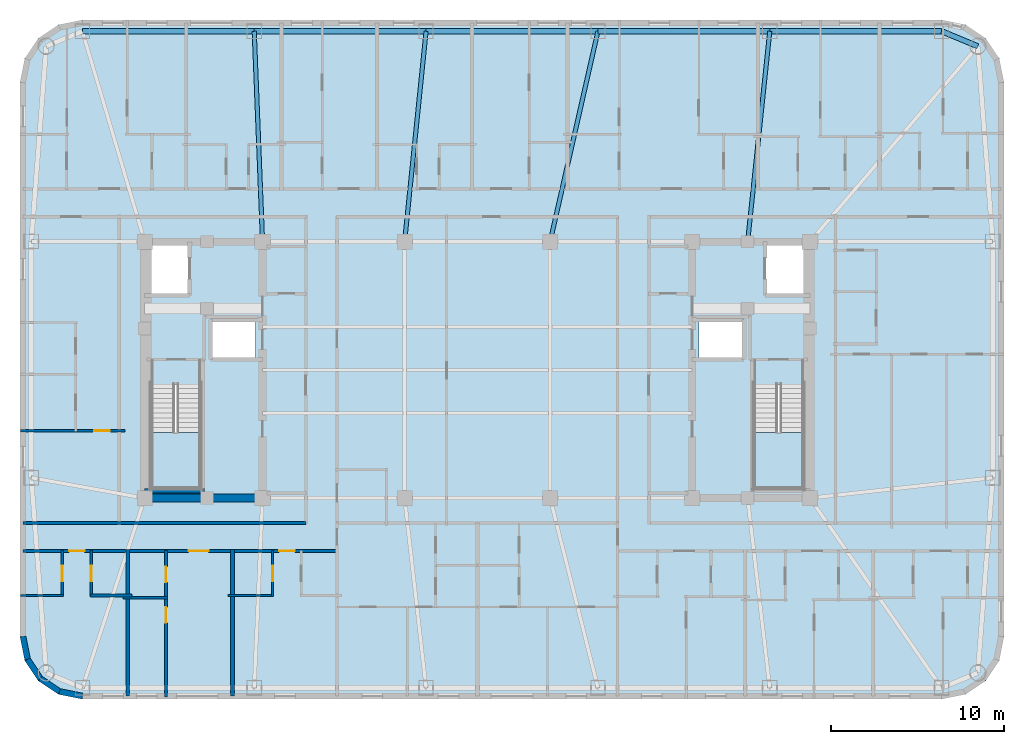
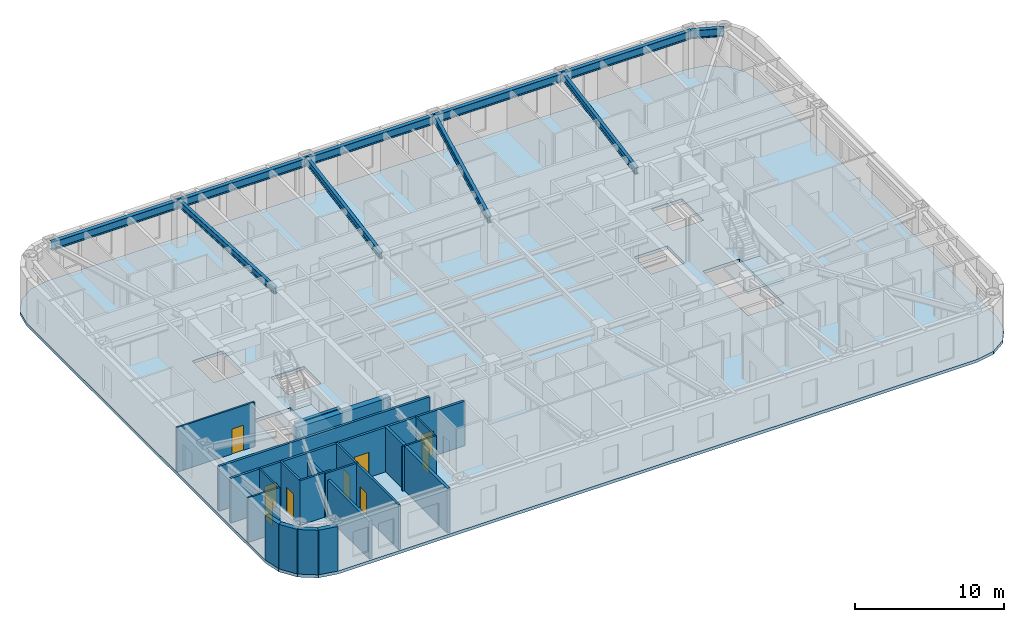
# One storey, part 2 of 11: 20 walls, 10 beams, 9 doors, 3 slabs, 9 openings, 2 elements without a shape of their own.
"""IFC4 building model written with IfcOpenShell, lengths in metres."""

from ifc_helpers import new_model, si_unit, direction, frame, frame_2d, origin, origin_2d, place, context, subcontext, project, spatial, polyline, rectangle, i_section, outline, extrude, material, layer, layer_set, material_profile, profile_set, type_object, element, fill, aggregate, save


model = new_model("IFC4")

# Units and contexts
model_context = context("Model", 3, precision=1e-05, world=origin(), true_north=direction((0.0, 1.0)))
body_context = subcontext(model_context, "Body", "Model", "MODEL_VIEW")
ifc_project = project(units=[si_unit("LENGTHUNIT", "METRE"), si_unit("AREAUNIT", "SQUARE_METRE"), si_unit("VOLUMEUNIT", "CUBIC_METRE"), si_unit("PLANEANGLEUNIT", "RADIAN"), si_unit("MASSUNIT", "GRAM", prefix="KILO")], contexts=[model_context])

# Site, building, storey
site_placement = place(None, origin())
site = spatial("IfcSite", under=ifc_project, at=site_placement, CompositionType="ELEMENT")
building_placement = place(site_placement, origin())
building = spatial("IfcBuilding", under=site, at=building_placement, Name="Voryun Gate Residences", CompositionType="ELEMENT")
storey_placement = place(building_placement, frame((0.0, 0.0, 239.199951171875)))
storey = spatial("IfcBuildingStorey", under=building, at=storey_placement, Name="L59", CompositionType="ELEMENT", Elevation=239.199951171875)

# Beams
ifc_material_1 = material(Name="Steel SM355", Category="steel")
ifc_material_profile_1 = material_profile(ifc_material_1, i_section(OverallWidth=0.300048828125, OverallDepth=0.679931640625, WebThickness=0.013916015625, FlangeThickness=0.02490234375, FilletRadius=0.01806640625, at=origin_2d()), Name="H-680x300x14x25")
ifc_profile_set_1 = profile_set([ifc_material_profile_1], Name="Steel SM355")
beam_type_1 = type_object("IfcBeamType", Name="BM_EXO_SPANDREL_M", PredefinedType="SPANDREL", material=ifc_profile_set_1)
beam_1_placement = place(storey_placement, frame((28.885986328125, 18.68603515625, 3.31005859375), z_axis=(-0.923881087602, 0.382679678022, 0.0), x_axis=(-0.382679678022, -0.923881087602, 0.0)))
element("IfcBeam", 1, at=beam_1_placement, inside=storey, type_object=beam_type_1, Name="BM-L59-SPAND-10", PredefinedType="SPANDREL", context=body_context, shape_type="SweptSolid", body=[
    extrude(i_section(OverallWidth=0.300048828125, OverallDepth=0.679931640625, WebThickness=0.013916015625, FlangeThickness=0.02490234375, FilletRadius=0.01806640625, at=origin_2d()), origin(), (0.0, 0.0, 1.0), 2.2578125),
])
beam_2_placement = place(storey_placement, frame((26.800048828125, 19.550048828125, 3.31005859375), z_axis=(-1.0, 0.0, 0.0), x_axis=(0.0, -1.0, 0.0)))
element("IfcBeam", 2, at=beam_2_placement, inside=storey, type_object=beam_type_1, Name="BM-L59-SPAND-11", PredefinedType="SPANDREL", context=body_context, shape_type="SweptSolid", body=[
    extrude(i_section(OverallWidth=0.300048828125, OverallDepth=0.679931640625, WebThickness=0.013916015625, FlangeThickness=0.02490234375, FilletRadius=0.01806640625, at=origin_2d()), origin(), (0.0, 0.0, 1.0), 9.920166015625),
])
for number, where, z_axis, x_axis, name in (
    (3, (16.8798828125, 19.550048828125, 3.31005859375), (-1.0, 0.0, 0.0), (0.0, -1.0, 0.0), "BM-L59-SPAND-12"),
    (4, (6.9599609375, 19.550048828125, 3.31005859375), (-1.0, 0.0, 0.0), (0.0, -1.0, 0.0), "BM-L59-SPAND-13"),
    (5, (-2.9599609375, 19.550048828125, 3.31005859375), (-1.0, 0.0, 0.0), (0.0, -1.0, 0.0), "BM-L59-SPAND-14"),
):
    element("IfcBeam", number, at=place(storey_placement, frame(where, z_axis=z_axis, x_axis=x_axis)), inside=storey, type_object=beam_type_1, Name=name, PredefinedType="SPANDREL", context=body_context, shape_type="SweptSolid", body=[
        extrude(i_section(OverallWidth=0.300048828125, OverallDepth=0.679931640625, WebThickness=0.013916015625, FlangeThickness=0.02490234375, FilletRadius=0.01806640625, at=origin_2d()), origin(), (0.0, 0.0, 1.0), 9.919921875),
    ])
beam_3_placement = place(storey_placement, frame((-12.8798828125, 19.550048828125, 3.31005859375), z_axis=(-1.0, 0.0, 0.0), x_axis=(0.0, -1.0, 0.0)))
element("IfcBeam", 6, at=beam_3_placement, inside=storey, type_object=beam_type_1, Name="BM-L59-SPAND-15", PredefinedType="SPANDREL", context=body_context, shape_type="SweptSolid", body=[
    extrude(i_section(OverallWidth=0.300048828125, OverallDepth=0.679931640625, WebThickness=0.013916015625, FlangeThickness=0.02490234375, FilletRadius=0.01806640625, at=origin_2d()), origin(), (0.0, 0.0, 1.0), 9.920166015625),
])
ifc_material_2 = material(Name="Steel SM355", Category="steel")
ifc_material_profile_2 = material_profile(ifc_material_2, i_section(OverallWidth=0.239990234375, OverallDepth=0.550048828125, WebThickness=0.011962890625, FlangeThickness=0.02001953125, FilletRadius=0.01806640625, at=origin_2d()), Name="H-550x240x12x20")
ifc_profile_set_2 = profile_set([ifc_material_profile_2], Name="Steel SM355")
beam_type_2 = type_object("IfcBeamType", Name="BM_GIRD_550", PredefinedType="USERDEFINED", material=ifc_profile_set_2)
beam_4_placement = place(storey_placement, frame((15.60009765625, 7.39990234375, 3.375), z_axis=(0.104751358085, 0.994498442925, 0.0), x_axis=(-0.994498442925, 0.104751358085, 0.0)))
element("IfcBeam", 7, at=beam_4_placement, inside=storey, type_object=beam_type_2, Name="BM-L59-RAD-N2", ObjectType="GIRDER", PredefinedType="USERDEFINED", context=body_context, shape_type="SweptSolid", body=[
    extrude(i_section(OverallWidth=0.239990234375, OverallDepth=0.550048828125, WebThickness=0.011962890625, FlangeThickness=0.02001953125, FilletRadius=0.01806640625, at=origin_2d()), origin(), (0.0, 0.0, 1.0), 12.21728515625),
])
beam_5_placement = place(storey_placement, frame((4.199951171875, 7.39990234375, 3.375), z_axis=(0.221515238368, 0.975156910026, 0.0), x_axis=(-0.975156910026, 0.221515238368, 0.0)))
element("IfcBeam", 8, at=beam_5_placement, inside=storey, type_object=beam_type_2, Name="BM-L59-RAD-N3", ObjectType="GIRDER", PredefinedType="USERDEFINED", context=body_context, shape_type="SweptSolid", body=[
    extrude(i_section(OverallWidth=0.239990234375, OverallDepth=0.550048828125, WebThickness=0.011962890625, FlangeThickness=0.02001953125, FilletRadius=0.01806640625, at=origin_2d()), origin(), (0.0, 0.0, 1.0), 12.459716796875),
])
beam_6_placement = place(storey_placement, frame((-4.199951171875, 7.39990234375, 3.375), z_axis=(0.101528223047, 0.994832659257, 0.0), x_axis=(-0.994832659257, 0.101528223047, 0.0)))
element("IfcBeam", 9, at=beam_6_placement, inside=storey, type_object=beam_type_2, Name="BM-L59-RAD-N4", ObjectType="GIRDER", PredefinedType="USERDEFINED", context=body_context, shape_type="SweptSolid", body=[
    extrude(i_section(OverallWidth=0.239990234375, OverallDepth=0.550048828125, WebThickness=0.011962890625, FlangeThickness=0.02001953125, FilletRadius=0.01806640625, at=origin_2d()), origin(), (0.0, 0.0, 1.0), 12.213134765625),
])
beam_7_placement = place(storey_placement, frame((-12.39990234375, 7.39990234375, 3.375), z_axis=(-0.039473300578, 0.999220625558, 0.0), x_axis=(-0.999220625558, -0.039473300578, 0.0)))
element("IfcBeam", 10, at=beam_7_placement, inside=storey, type_object=beam_type_2, Name="BM-L59-RAD-N5", ObjectType="GIRDER", PredefinedType="USERDEFINED", context=body_context, shape_type="SweptSolid", body=[
    extrude(i_section(OverallWidth=0.239990234375, OverallDepth=0.550048828125, WebThickness=0.011962890625, FlangeThickness=0.02001953125, FilletRadius=0.01806640625, at=origin_2d()), origin(), (0.0, 0.0, 1.0), 12.15966796875),
])

# Slab
ifc_material_3 = material(Name="Concrete C40/50", Category="concrete")
ifc_layer_1 = layer(ifc_material_3, 0.25, Name="SLB_RES_250")
ifc_layer_set_1 = layer_set([ifc_layer_1], Name="Concrete C40/50")
slab_type_1 = type_object("IfcSlabType", Name="SLB_RES_250", PredefinedType="FLOOR", material=ifc_layer_set_1)
slab_1_placement = place(storey_placement, frame((0.0, 0.0, -0.25)))
element("IfcSlab", 11, at=slab_1_placement, inside=storey, type_object=slab_type_1, Name="L59 Structural Floor Slab", PredefinedType="FLOOR", context=body_context, shape_type="SweptSolid", body=[
    extrude(outline(polyline([(-22.800048828125, -19.0), (-24.177734375, -18.72607421875), (-25.345458984375, -17.945556640625), (-26.1259765625, -16.777587890625), (-26.39990234375, -15.39990234375), (-26.39990234375, 16.60009765625), (-26.1259765625, 17.9775390625), (-25.345458984375, 19.1455078125), (-24.177734375, 19.926025390625), (-22.800048828125, 20.199951171875), (26.800048828125, 20.199951171875), (28.177734375, 19.926025390625), (29.345458984375, 19.1455078125), (30.1259765625, 17.9775390625), (30.39990234375, 16.60009765625), (30.39990234375, -15.39990234375), (30.1259765625, -16.777587890625), (29.345458984375, -17.945556640625), (28.177734375, -18.72607421875), (26.800048828125, -19.0), (-22.800048828125, -19.0)]), holes=[polyline([(-15.97509765625, -0.840087890625), (-18.824951171875, -0.840087890625), (-18.824951171875, -6.85009765625), (-15.97509765625, -6.85009765625), (-15.97509765625, -0.840087890625)]), polyline([(18.824951171875, -6.85009765625), (18.824951171875, -0.840087890625), (15.97509765625, -0.840087890625), (15.97509765625, -6.85009765625), (18.824951171875, -6.85009765625)]), polyline([(-12.800048828125, 2.89990234375), (-15.39990234375, 2.89990234375), (-15.39990234375, 0.60009765625), (-12.800048828125, 0.60009765625), (-12.800048828125, 2.89990234375)]), polyline([(12.800048828125, 2.89990234375), (12.800048828125, 0.60009765625), (15.39990234375, 0.60009765625), (15.39990234375, 2.89990234375), (12.800048828125, 2.89990234375)]), polyline([(-16.60009765625, 7.199951171875), (-19.0, 7.199951171875), (-19.0, 4.300048828125), (-16.60009765625, 4.300048828125), (-16.60009765625, 7.199951171875)]), polyline([(19.0, 7.199951171875), (16.60009765625, 7.199951171875), (16.60009765625, 4.300048828125), (19.0, 4.300048828125), (19.0, 7.199951171875)])]), origin(), (0.0, 0.0, 1.0), 0.25),
])

# Stair, slab
ifc_material_4 = material(Name="Concrete C40/50", Category="concrete")
stair_type = type_object("IfcStairType", Name="STR_CORE_DOGLEG_1350", PredefinedType="HALF_TURN_STAIR", material=ifc_material_4)
stair_1_placement = place(storey_placement, origin())
stair_1 = element("IfcStair", 12, at=stair_1_placement, inside=storey, type_object=stair_type, Name="L59 Special Escape Stair ST-W1", PredefinedType="HALF_TURN_STAIR")
ifc_material_5 = material(Name="Concrete C40/50", Category="concrete")
ifc_layer_2 = layer(ifc_material_5, 0.199951171875, Name="SLB_STAIR_LANDING_200")
ifc_layer_set_2 = layer_set([ifc_layer_2], Name="Concrete C40/50")
slab_type_2 = type_object("IfcSlabType", Name="SLB_STAIR_LANDING_200", PredefinedType="LANDING", material=ifc_layer_set_2)
slab_2_placement = place(storey_placement, frame((0.0, 0.0, 1.75)))
slab_2 = element("IfcSlab", 13, at=slab_2_placement, type_object=slab_type_2, Name="ST-W1 landing 1", PredefinedType="LANDING", context=body_context, shape_type="SweptSolid", body=[
    extrude(outline(polyline([(-18.824951171875, -3.60009765625), (-18.824951171875, -6.85009765625), (-15.97509765625, -6.85009765625), (-15.97509765625, -3.60009765625), (-18.824951171875, -3.60009765625)])), origin(), (0.0, 0.0, 1.0), 0.199951171875),
])
aggregate(stair_1, [slab_2])

stair_2_placement = place(storey_placement, origin())
stair_2 = element("IfcStair", 14, at=stair_2_placement, inside=storey, type_object=stair_type, Name="L59 Special Escape Stair ST-E1", PredefinedType="HALF_TURN_STAIR")
slab_3_placement = place(storey_placement, frame((0.0, 0.0, 1.75)))
slab_3 = element("IfcSlab", 15, at=slab_3_placement, type_object=slab_type_2, Name="ST-E1 landing 1", PredefinedType="LANDING", context=body_context, shape_type="SweptSolid", body=[
    extrude(outline(polyline([(15.97509765625, -3.60009765625), (15.97509765625, -6.85009765625), (18.824951171875, -6.85009765625), (18.824951171875, -3.60009765625), (15.97509765625, -3.60009765625)])), origin(), (0.0, 0.0, 1.0), 0.199951171875),
])
aggregate(stair_2, [slab_3])

# Walls
ifc_material_6 = material(Name="Concrete C50/60", Category="concrete")
ifc_layer_3 = layer(ifc_material_6, 0.449951171875, Name="CW_CORE_450")
ifc_layer_set_3 = layer_set([ifc_layer_3], Name="Concrete C50/60")
wall_type_1 = type_object("IfcWallType", Name="CW_CORE_450", PredefinedType="SHEAR", material=ifc_layer_set_3)
wall_1_placement = place(storey_placement, frame((-19.425048828125, -7.39990234375, 0.0), z_axis=(0.0, 0.0, 1.0), x_axis=(1.0, 0.0, 0.0)))
element("IfcWall", 16, at=wall_1_placement, inside=storey, type_object=wall_type_1, Name="L59 Core shear wall CW-L59-WS", PredefinedType="SHEAR", context=body_context, shape_type="SweptSolid", body=[
    extrude(rectangle(XDim=7.25, YDim=0.449951171875, at=frame_2d((3.625, 0.0))), origin(), (0.0, 0.0, 1.0), 3.650146484375),
])
ifc_material_7 = material(Name="Gypsum acoustic fireboard")
ifc_layer_4 = layer(ifc_material_7, 0.179931640625, Name="W_CORR_RATED_180")
ifc_layer_set_4 = layer_set([ifc_layer_4], Name="Gypsum acoustic fireboard")
wall_type_2 = type_object("IfcWallType", Name="W_CORR_RATED_180", PredefinedType="PARTITIONING", material=ifc_layer_set_4)
wall_2_placement = place(storey_placement, frame((-26.22998046875, -8.840087890625, 0.0), z_axis=(0.0, 0.0, 1.0), x_axis=(1.0, 0.0, 0.0)))
element("IfcWall", 17, at=wall_2_placement, inside=storey, type_object=wall_type_2, Name="Partition wall WP-L59-CWING-WS", PredefinedType="PARTITIONING", context=body_context, shape_type="SweptSolid", body=[
    extrude(rectangle(XDim=16.35009765625, YDim=0.179931640625, at=frame_2d((8.175048828125, 0.0))), origin(), (0.0, 0.0, 1.0), 3.650146484375),
])

# Wall, openings, doors
wall_3_placement = place(storey_placement, frame((-26.22998046875, -10.449951171875, 0.0), z_axis=(0.0, 0.0, 1.0), x_axis=(1.0, 0.0, 0.0)))
wall_3 = element("IfcWall", 18, at=wall_3_placement, inside=storey, type_object=wall_type_2, Name="Partition wall WP-L59-SCORR-W", PredefinedType="PARTITIONING", context=body_context, shape_type="SweptSolid", body=[
    extrude(rectangle(XDim=18.14990234375, YDim=0.179931640625, at=frame_2d((9.074951171875, 0.0))), origin(), (0.0, 0.0, 1.0), 3.650146484375),
])
opening_1_placement = place(wall_3_placement, frame((2.6591796875, 0.0, 0.0)))
opening_1 = element("IfcOpeningElement", 19, at=opening_1_placement, cuts=wall_3, Name="Opening D-INT-2", PredefinedType="OPENING", context=body_context, shape_type="SweptSolid", body=[
    extrude(rectangle(XDim=0.89990234375, YDim=2.050048828125, at=frame_2d((0.449951171875, 1.02490234375))), frame((0.0, 0.099853515625, 0.0), z_axis=(0.0, -1.0, 0.0), x_axis=(1.0, 0.0, 0.0)), (0.0, 0.0, 1.0), 0.199951171875),
])
opening_2_placement = place(wall_3_placement, frame((9.57080078125, 0.0, 0.0)))
opening_2 = element("IfcOpeningElement", 20, at=opening_2_placement, cuts=wall_3, Name="Opening D-UNIT-1", PredefinedType="OPENING", context=body_context, shape_type="SweptSolid", body=[
    extrude(rectangle(XDim=1.14990234375, YDim=2.050048828125, at=frame_2d((0.574951171875, 1.02490234375))), frame((0.0, 0.099853515625, 0.0), z_axis=(0.0, -1.0, 0.0), x_axis=(1.0, 0.0, 0.0)), (0.0, 0.0, 1.0), 0.199951171875),
])
opening_3_placement = place(wall_3_placement, frame((14.79248046875, 0.0, 0.0)))
opening_3 = element("IfcOpeningElement", 21, at=opening_3_placement, cuts=wall_3, Name="Opening D-INT-2", PredefinedType="OPENING", context=body_context, shape_type="SweptSolid", body=[
    extrude(rectangle(XDim=0.89990234375, YDim=2.050048828125, at=frame_2d((0.449951171875, 1.02490234375))), frame((0.0, 0.099853515625, 0.0), z_axis=(0.0, -1.0, 0.0), x_axis=(1.0, 0.0, 0.0)), (0.0, 0.0, 1.0), 0.199951171875),
])
ifc_material_8 = material(Name="Architectural oak veneer")
door_type_1 = type_object("IfcDoorType", Name="DR_INT_BATH_900", OperationType="NOTDEFINED", PredefinedType="DOOR", material=ifc_material_8)
door_1_placement = place(opening_1_placement, origin())
door_1 = element("IfcDoor", 22, at=door_1_placement, inside=storey, type_object=door_type_1, Name="Door DR-L59-SENT-1", OperationType="SINGLE_SWING_RIGHT", OverallHeight=2.050048828125, OverallWidth=0.89990234375, PredefinedType="DOOR", context=body_context, shape_type="SweptSolid", body=[
    extrude(rectangle(XDim=0.89990234375, YDim=2.050048828125, at=frame_2d((0.449951171875, 1.02490234375))), frame((0.0, 0.02490234375, 0.0), z_axis=(0.0, -1.0, 0.0), x_axis=(1.0, 0.0, 0.0)), (0.0, 0.0, 1.0), 0.050048828125),
])
fill(opening_1, door_1)
door_2_placement = place(opening_3_placement, origin())
door_2 = element("IfcDoor", 23, at=door_2_placement, inside=storey, type_object=door_type_1, Name="Door DR-L59-SENT-3", OperationType="SINGLE_SWING_RIGHT", OverallHeight=2.050048828125, OverallWidth=0.89990234375, PredefinedType="DOOR", context=body_context, shape_type="SweptSolid", body=[
    extrude(rectangle(XDim=0.89990234375, YDim=2.050048828125, at=frame_2d((0.449951171875, 1.02490234375))), frame((0.0, 0.02490234375, 0.0), z_axis=(0.0, -1.0, 0.0), x_axis=(1.0, 0.0, 0.0)), (0.0, 0.0, 1.0), 0.050048828125),
])
fill(opening_3, door_2)
ifc_material_9 = material(Name="Armoured timber-clad fire door", Category="wood")
door_type_2 = type_object("IfcDoorType", Name="DR_UNIT_ENTRY_1150", OperationType="NOTDEFINED", PredefinedType="DOOR", material=ifc_material_9)
door_3_placement = place(opening_2_placement, origin())
door_3 = element("IfcDoor", 24, at=door_3_placement, inside=storey, type_object=door_type_2, Name="Door DR-L59-SENT-2", OperationType="SINGLE_SWING_LEFT", OverallHeight=2.050048828125, OverallWidth=1.14990234375, PredefinedType="DOOR", context=body_context, shape_type="SweptSolid", body=[
    extrude(rectangle(XDim=1.14990234375, YDim=2.050048828125, at=frame_2d((0.574951171875, 1.02490234375))), frame((0.0, 0.02490234375, 0.0), z_axis=(0.0, -1.0, 0.0), x_axis=(1.0, 0.0, 0.0)), (0.0, 0.0, 1.0), 0.050048828125),
])
fill(opening_2, door_3)

# Walls
ifc_material_10 = material(Name="Charcoal terracotta masonry", Category="masonry")
ifc_layer_5 = layer(ifc_material_10, 0.340087890625, Name="W_EXT_TERRACOTTA_340")
ifc_layer_set_5 = layer_set([ifc_layer_5], Name="Charcoal terracotta masonry")
wall_type_3 = type_object("IfcWallType", Name="W_EXT_TERRACOTTA_340", PredefinedType="ELEMENTEDWALL", material=ifc_layer_set_5)
wall_4_placement = place(storey_placement, frame((-22.783203125, -18.830078125, 0.0), z_axis=(0.0, 0.0, 1.0), x_axis=(-0.980788153188, 0.195075878998, 0.0)))
element("IfcWall", 25, at=wall_4_placement, inside=storey, type_object=wall_type_3, Name="Exterior wall WEXT-L59-02", PredefinedType="ELEMENTEDWALL", context=body_context, shape_type="SweptSolid", body=[
    extrude(rectangle(XDim=1.354248046875, YDim=0.340087890625, at=frame_2d((0.67724609375, 0.0))), origin(), (0.0, 0.0, 1.0), 3.650146484375),
])
wall_5_placement = place(storey_placement, frame((-24.111328125, -18.56591796875, 0.0), z_axis=(0.0, 0.0, 1.0), x_axis=(-0.831403586725, 0.555669034571, 0.0)))
element("IfcWall", 26, at=wall_5_placement, inside=storey, type_object=wall_type_3, Name="Exterior wall WEXT-L59-03", PredefinedType="ELEMENTEDWALL", context=body_context, shape_type="SweptSolid", body=[
    extrude(rectangle(XDim=1.3369140625, YDim=0.340087890625, at=frame_2d((0.66845703125, 0.0))), origin(), (0.0, 0.0, 1.0), 3.650146484375),
])
wall_6_placement = place(storey_placement, frame((-25.222900390625, -17.822998046875, 0.0), z_axis=(0.0, 0.0, 1.0), x_axis=(-0.555584683399, 0.831459956686, 0.0)))
element("IfcWall", 27, at=wall_6_placement, inside=storey, type_object=wall_type_3, Name="Exterior wall WEXT-L59-04", PredefinedType="ELEMENTEDWALL", context=body_context, shape_type="SweptSolid", body=[
    extrude(rectangle(XDim=1.337158203125, YDim=0.340087890625, at=frame_2d((0.66845703125, 0.0))), origin(), (0.0, 0.0, 1.0), 3.650146484375),
])
wall_7_placement = place(storey_placement, frame((-25.9658203125, -16.711181640625, 0.0), z_axis=(0.0, 0.0, 1.0), x_axis=(-0.195110379894, 0.98078129043, 0.0)))
element("IfcWall", 28, at=wall_7_placement, inside=storey, type_object=wall_type_3, Name="Exterior wall WEXT-L59-05", PredefinedType="ELEMENTEDWALL", context=body_context, shape_type="SweptSolid", body=[
    extrude(rectangle(XDim=1.35400390625, YDim=0.340087890625, at=frame_2d((0.677001953125, 0.0))), origin(), (0.0, 0.0, 1.0), 3.650146484375),
])
ifc_material_11 = material(Name="Concrete C40/50", Category="concrete")
ifc_layer_6 = layer(ifc_material_11, 0.219970703125, Name="W_PARTY_ACOUSTIC_220")
ifc_layer_set_6 = layer_set([ifc_layer_6], Name="Concrete C40/50")
wall_type_4 = type_object("IfcWallType", Name="W_PARTY_ACOUSTIC_220", PredefinedType="PARTITIONING", material=ifc_layer_set_6)
wall_8_placement = place(storey_placement, frame((-20.18505859375, -18.830078125, 0.0), z_axis=(0.0, 0.0, 1.0), x_axis=(0.0, 1.0, 0.0)))
element("IfcWall", 29, at=wall_8_placement, inside=storey, type_object=wall_type_4, Name="Partition wall WP-L59-SPTY-1", PredefinedType="PARTITIONING", context=body_context, shape_type="SweptSolid", body=[
    extrude(rectangle(XDim=8.4599609375, YDim=0.219970703125, at=frame_2d((4.22998046875, 0.0))), origin(), (0.0, 0.0, 1.0), 3.090087890625),
])
wall_9_placement = place(storey_placement, frame((-14.132080078125, -18.830078125, 0.0), z_axis=(0.0, 0.0, 1.0), x_axis=(0.0, 1.0, 0.0)))
element("IfcWall", 30, at=wall_9_placement, inside=storey, type_object=wall_type_4, Name="Partition wall WP-L59-SPTY-2", PredefinedType="PARTITIONING", context=body_context, shape_type="SweptSolid", body=[
    extrude(rectangle(XDim=8.4599609375, YDim=0.219970703125, at=frame_2d((4.22998046875, 0.0))), origin(), (0.0, 0.0, 1.0), 3.650146484375),
])
ifc_material_12 = material(Name="Concrete C50/60", Category="concrete")
ifc_layer_7 = layer(ifc_material_12, 0.25, Name="W_SHAFT_RC250")
ifc_layer_set_7 = layer_set([ifc_layer_7], Name="Concrete C50/60")
wall_type_5 = type_object("IfcWallType", Name="W_SHAFT_RC250", PredefinedType="SOLIDWALL", material=ifc_layer_set_7)
wall_10_placement = place(storey_placement, frame((-19.199951171875, -6.965087890625, 0.0), z_axis=(0.0, 0.0, 1.0), x_axis=(1.0, 0.0, 0.0)))
element("IfcWall", 31, at=wall_10_placement, inside=storey, type_object=wall_type_5, Name="L59 Stair shaft structural wall W-STS", PredefinedType="SOLIDWALL", context=body_context, shape_type="SweptSolid", body=[
    extrude(rectangle(XDim=3.4599609375, YDim=0.25, at=frame_2d((1.72998046875, 0.0))), origin(), (0.0, 0.0, 1.0), 3.650146484375),
])

# Wall, opening, door
ifc_material_13 = material(Name="Gypsum acoustic partition")
ifc_layer_8 = layer(ifc_material_13, 0.125, Name="W_UNIT_PART_125")
ifc_layer_set_8 = layer_set([ifc_layer_8], Name="Gypsum acoustic partition")
wall_type_6 = type_object("IfcWallType", Name="W_UNIT_PART_125", PredefinedType="PARTITIONING", material=ifc_layer_set_8)
wall_11_placement = place(storey_placement, frame((-23.9599609375, -13.080078125, 0.0), z_axis=(0.0, 0.0, 1.0), x_axis=(0.0, 1.0, 0.0)))
wall_11 = element("IfcWall", 32, at=wall_11_placement, inside=storey, type_object=wall_type_6, Name="Partition wall WP-L59-S1-CVK", PredefinedType="PARTITIONING", context=body_context, shape_type="SweptSolid", body=[
    extrude(rectangle(XDim=2.650146484375, YDim=0.125, at=frame_2d((1.3251953125, 0.0))), origin(), (0.0, 0.0, 1.0), 3.650146484375),
])
opening_4_placement = place(wall_11_placement, frame((0.875, 0.0, 0.0)))
opening_4 = element("IfcOpeningElement", 33, at=opening_4_placement, cuts=wall_11, Name="Opening D-INT-2", PredefinedType="OPENING", context=body_context, shape_type="SweptSolid", body=[
    extrude(rectangle(XDim=0.89990234375, YDim=2.050048828125, at=frame_2d((0.449951171875, 1.02490234375))), frame((0.0, 0.072509765625, 0.0), z_axis=(0.0, -1.0, 0.0), x_axis=(1.0, 0.0, 0.0)), (0.0, 0.0, 1.0), 0.14501953125),
])
door_4_placement = place(opening_4_placement, origin())
door_4 = element("IfcDoor", 34, at=door_4_placement, inside=storey, type_object=door_type_1, Name="Door DR-L59-S1-DK", OperationType="SINGLE_SWING_LEFT", OverallHeight=2.050048828125, OverallWidth=0.89990234375, PredefinedType="DOOR", context=body_context, shape_type="SweptSolid", body=[
    extrude(rectangle(XDim=0.89990234375, YDim=2.050048828125, at=frame_2d((0.449951171875, 1.02490234375))), frame((0.0, 0.02490234375, 0.0), z_axis=(0.0, -1.0, 0.0), x_axis=(1.0, 0.0, 0.0)), (0.0, 0.0, 1.0), 0.050048828125),
])
fill(opening_4, door_4)

# Wall
wall_12_placement = place(storey_placement, frame((-26.3798828125, -13.02001953125, 0.0), z_axis=(0.0, 0.0, 1.0), x_axis=(1.0, 0.0, 0.0)))
element("IfcWall", 35, at=wall_12_placement, inside=storey, type_object=wall_type_6, Name="Partition wall WP-L59-S1-CHK", PredefinedType="PARTITIONING", context=body_context, shape_type="SweptSolid", body=[
    extrude(rectangle(XDim=2.47998046875, YDim=0.125, at=frame_2d((1.239990234375, 0.0))), origin(), (0.0, 0.0, 1.0), 3.650146484375),
])

# Wall, opening, door
wall_13_placement = place(storey_placement, frame((-11.818115234375, -13.080078125, 0.0), z_axis=(0.0, 0.0, 1.0), x_axis=(0.0, 1.0, 0.0)))
wall_13 = element("IfcWall", 36, at=wall_13_placement, inside=storey, type_object=wall_type_6, Name="Partition wall WP-L59-S3-CVK", PredefinedType="PARTITIONING", context=body_context, shape_type="SweptSolid", body=[
    extrude(rectangle(XDim=2.650146484375, YDim=0.125, at=frame_2d((1.3251953125, 0.0))), origin(), (0.0, 0.0, 1.0), 3.650146484375),
])
opening_5_placement = place(wall_13_placement, frame((0.875, 0.0, 0.0)))
opening_5 = element("IfcOpeningElement", 37, at=opening_5_placement, cuts=wall_13, Name="Opening D-INT-2", PredefinedType="OPENING", context=body_context, shape_type="SweptSolid", body=[
    extrude(rectangle(XDim=0.89990234375, YDim=2.050048828125, at=frame_2d((0.449951171875, 1.02490234375))), frame((0.0, 0.072509765625, 0.0), z_axis=(0.0, -1.0, 0.0), x_axis=(1.0, 0.0, 0.0)), (0.0, 0.0, 1.0), 0.14501953125),
])
door_5_placement = place(opening_5_placement, origin())
door_5 = element("IfcDoor", 38, at=door_5_placement, inside=storey, type_object=door_type_1, Name="Door DR-L59-S3-DK", OperationType="SINGLE_SWING_LEFT", OverallHeight=2.050048828125, OverallWidth=0.89990234375, PredefinedType="DOOR", context=body_context, shape_type="SweptSolid", body=[
    extrude(rectangle(XDim=0.89990234375, YDim=2.050048828125, at=frame_2d((0.449951171875, 1.02490234375))), frame((0.0, 0.02490234375, 0.0), z_axis=(0.0, -1.0, 0.0), x_axis=(1.0, 0.0, 0.0)), (0.0, 0.0, 1.0), 0.050048828125),
])
fill(opening_5, door_5)

# Wall
wall_14_placement = place(storey_placement, frame((-14.39208984375, -13.02001953125, 0.0), z_axis=(0.0, 0.0, 1.0), x_axis=(1.0, 0.0, 0.0)))
element("IfcWall", 39, at=wall_14_placement, inside=storey, type_object=wall_type_6, Name="Partition wall WP-L59-S3-CHK", PredefinedType="PARTITIONING", context=body_context, shape_type="SweptSolid", body=[
    extrude(rectangle(XDim=2.634033203125, YDim=0.125, at=frame_2d((1.31689453125, 0.0))), origin(), (0.0, 0.0, 1.0), 3.650146484375),
])

# Wall, opening, door
wall_15_placement = place(storey_placement, frame((-26.3798828125, -3.510009765625, 0.0), z_axis=(0.0, 0.0, 1.0), x_axis=(1.0, 0.0, 0.0)))
wall_15 = element("IfcWall", 40, at=wall_15_placement, inside=storey, type_object=wall_type_6, Name="Partition wall WP-L59-W1-HZ3", PredefinedType="PARTITIONING", context=body_context, shape_type="SweptSolid", body=[
    extrude(rectangle(XDim=6.02978515625, YDim=0.125, at=frame_2d((3.014892578125, 0.0))), origin(), (0.0, 0.0, 1.0), 3.650146484375),
])
opening_6_placement = place(wall_15_placement, frame((4.25341796875, 0.0, 0.0)))
opening_6 = element("IfcOpeningElement", 41, at=opening_6_placement, cuts=wall_15, Name="Opening D-INT-2", PredefinedType="OPENING", context=body_context, shape_type="SweptSolid", body=[
    extrude(rectangle(XDim=0.89990234375, YDim=2.050048828125, at=frame_2d((0.449951171875, 1.02490234375))), frame((0.0, 0.072509765625, 0.0), z_axis=(0.0, -1.0, 0.0), x_axis=(1.0, 0.0, 0.0)), (0.0, 0.0, 1.0), 0.14501953125),
])
door_6_placement = place(opening_6_placement, origin())
door_6 = element("IfcDoor", 42, at=door_6_placement, inside=storey, type_object=door_type_1, Name="Door DR-L59-W1-DMB", OperationType="SINGLE_SWING_LEFT", OverallHeight=2.050048828125, OverallWidth=0.89990234375, PredefinedType="DOOR", context=body_context, shape_type="SweptSolid", body=[
    extrude(rectangle(XDim=0.89990234375, YDim=2.050048828125, at=frame_2d((0.449951171875, 1.02490234375))), frame((0.0, 0.02490234375, 0.0), z_axis=(0.0, -1.0, 0.0), x_axis=(1.0, 0.0, 0.0)), (0.0, 0.0, 1.0), 0.050048828125),
])
fill(opening_6, door_6)

ifc_material_14 = material(Name="Gypsum moisture-resistant partition")
ifc_layer_9 = layer(ifc_material_14, 0.14990234375, Name="W_WET_PLUMB_150")
ifc_layer_set_9 = layer_set([ifc_layer_9], Name="Gypsum moisture-resistant partition")
wall_type_7 = type_object("IfcWallType", Name="W_WET_PLUMB_150", PredefinedType="PLUMBINGWALL", material=ifc_layer_set_9)
wall_16_placement = place(storey_placement, frame((-22.281982421875, -13.080078125, 0.0), z_axis=(0.0, 0.0, 1.0), x_axis=(0.0, 1.0, 0.0)))
wall_16 = element("IfcWall", 43, at=wall_16_placement, inside=storey, type_object=wall_type_7, Name="Partition wall WP-L59-S1-CVB", PredefinedType="PLUMBINGWALL", context=body_context, shape_type="SweptSolid", body=[
    extrude(rectangle(XDim=2.650146484375, YDim=0.14990234375, at=frame_2d((1.3251953125, 0.0))), origin(), (0.0, 0.0, 1.0), 3.650146484375),
])
opening_7_placement = place(wall_16_placement, frame((0.875, 0.0, 0.0)))
opening_7 = element("IfcOpeningElement", 44, at=opening_7_placement, cuts=wall_16, Name="Opening D-INT-2", PredefinedType="OPENING", context=body_context, shape_type="SweptSolid", body=[
    extrude(rectangle(XDim=0.89990234375, YDim=2.050048828125, at=frame_2d((0.449951171875, 1.02490234375))), frame((0.0, 0.0849609375, 0.0), z_axis=(0.0, -1.0, 0.0), x_axis=(1.0, 0.0, 0.0)), (0.0, 0.0, 1.0), 0.169921875),
])
door_7_placement = place(opening_7_placement, origin())
door_7 = element("IfcDoor", 45, at=door_7_placement, inside=storey, type_object=door_type_1, Name="Door DR-L59-S1-DB", OperationType="SINGLE_SWING_RIGHT", OverallHeight=2.050048828125, OverallWidth=0.89990234375, PredefinedType="DOOR", context=body_context, shape_type="SweptSolid", body=[
    extrude(rectangle(XDim=0.89990234375, YDim=2.050048828125, at=frame_2d((0.449951171875, 1.02490234375))), frame((0.0, 0.02490234375, 0.0), z_axis=(0.0, -1.0, 0.0), x_axis=(1.0, 0.0, 0.0)), (0.0, 0.0, 1.0), 0.050048828125),
])
fill(opening_7, door_7)

# Walls
wall_17_placement = place(storey_placement, frame((-22.342041015625, -13.02001953125, 0.0), z_axis=(0.0, 0.0, 1.0), x_axis=(1.0, 0.0, 0.0)))
element("IfcWall", 46, at=wall_17_placement, inside=storey, type_object=wall_type_7, Name="Partition wall WP-L59-S1-CHB", PredefinedType="PLUMBINGWALL", context=body_context, shape_type="SweptSolid", body=[
    extrude(rectangle(XDim=2.4169921875, YDim=0.14990234375, at=frame_2d((1.20849609375, 0.0))), origin(), (0.0, 0.0, 1.0), 3.650146484375),
])
wall_18_placement = place(storey_placement, frame((-20.445068359375, -13.14990234375, 0.0), z_axis=(0.0, 0.0, 1.0), x_axis=(1.0, 0.0, 0.0)))
element("IfcWall", 47, at=wall_18_placement, inside=storey, type_object=wall_type_7, Name="Partition wall WP-L59-S2-SKB", PredefinedType="PLUMBINGWALL", context=body_context, shape_type="SweptSolid", body=[
    extrude(rectangle(XDim=2.550048828125, YDim=0.14990234375, at=frame_2d((1.27490234375, 0.0))), origin(), (0.0, 0.0, 1.0), 3.650146484375),
])

# Wall, opening, door
wall_19_placement = place(storey_placement, frame((-17.97509765625, -18.876708984375, 0.0), z_axis=(0.0, 0.0, 1.0), x_axis=(0.0, 1.0, 0.0)))
wall_19 = element("IfcWall", 48, at=wall_19_placement, inside=storey, type_object=wall_type_7, Name="Partition wall WP-L59-S2-SVT1", PredefinedType="PLUMBINGWALL", context=body_context, shape_type="SweptSolid", body=[
    extrude(rectangle(XDim=5.7666015625, YDim=0.14990234375, at=frame_2d((2.88330078125, 0.0))), origin(), (0.0, 0.0, 1.0), 3.650146484375),
])
opening_8_placement = place(wall_19_placement, frame((4.27880859375, 0.0, 0.0)))
opening_8 = element("IfcOpeningElement", 49, at=opening_8_placement, cuts=wall_19, Name="Opening D-INT-2", PredefinedType="OPENING", context=body_context, shape_type="SweptSolid", body=[
    extrude(rectangle(XDim=0.89990234375, YDim=2.050048828125, at=frame_2d((0.449951171875, 1.02490234375))), frame((0.0, 0.0849609375, 0.0), z_axis=(0.0, -1.0, 0.0), x_axis=(1.0, 0.0, 0.0)), (0.0, 0.0, 1.0), 0.169921875),
])
door_8_placement = place(opening_8_placement, origin())
door_8 = element("IfcDoor", 50, at=door_8_placement, inside=storey, type_object=door_type_1, Name="Door DR-L59-S2-DK", OperationType="SINGLE_SWING_LEFT", OverallHeight=2.050048828125, OverallWidth=0.89990234375, PredefinedType="DOOR", context=body_context, shape_type="SweptSolid", body=[
    extrude(rectangle(XDim=0.89990234375, YDim=2.050048828125, at=frame_2d((0.449951171875, 1.02490234375))), frame((0.0, 0.02490234375, 0.0), z_axis=(0.0, -1.0, 0.0), x_axis=(1.0, 0.0, 0.0)), (0.0, 0.0, 1.0), 0.050048828125),
])
fill(opening_8, door_8)

wall_20_placement = place(storey_placement, frame((-17.97509765625, -13.18994140625, 0.0), z_axis=(0.0, 0.0, 1.0), x_axis=(0.0, 1.0, 0.0)))
wall_20 = element("IfcWall", 51, at=wall_20_placement, inside=storey, type_object=wall_type_7, Name="Partition wall WP-L59-S2-SVT2", PredefinedType="PLUMBINGWALL", context=body_context, shape_type="SweptSolid", body=[
    extrude(rectangle(XDim=2.760009765625, YDim=0.14990234375, at=frame_2d((1.3798828125, 0.0))), origin(), (0.0, 0.0, 1.0), 3.650146484375),
])
opening_9_placement = place(wall_20_placement, frame((0.929931640625, 0.0, 0.0)))
opening_9 = element("IfcOpeningElement", 52, at=opening_9_placement, cuts=wall_20, Name="Opening D-INT-2", PredefinedType="OPENING", context=body_context, shape_type="SweptSolid", body=[
    extrude(rectangle(XDim=0.89990234375, YDim=2.050048828125, at=frame_2d((0.449951171875, 1.02490234375))), frame((0.0, 0.0849609375, 0.0), z_axis=(0.0, -1.0, 0.0), x_axis=(1.0, 0.0, 0.0)), (0.0, 0.0, 1.0), 0.169921875),
])
door_9_placement = place(opening_9_placement, origin())
door_9 = element("IfcDoor", 53, at=door_9_placement, inside=storey, type_object=door_type_1, Name="Door DR-L59-S2-DB", OperationType="SINGLE_SWING_RIGHT", OverallHeight=2.050048828125, OverallWidth=0.89990234375, PredefinedType="DOOR", context=body_context, shape_type="SweptSolid", body=[
    extrude(rectangle(XDim=0.89990234375, YDim=2.050048828125, at=frame_2d((0.449951171875, 1.02490234375))), frame((0.0, 0.02490234375, 0.0), z_axis=(0.0, -1.0, 0.0), x_axis=(1.0, 0.0, 0.0)), (0.0, 0.0, 1.0), 0.050048828125),
])
fill(opening_9, door_9)

save(model, "model.ifc")
